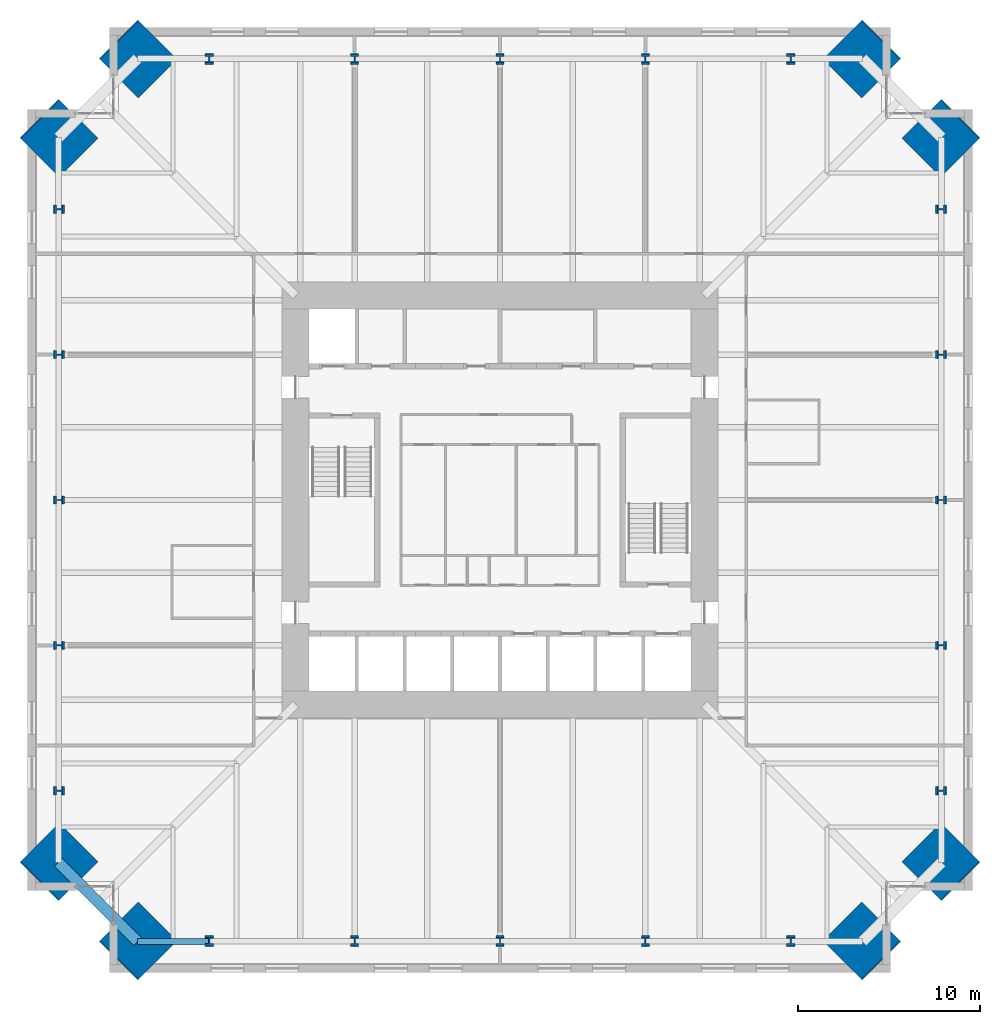
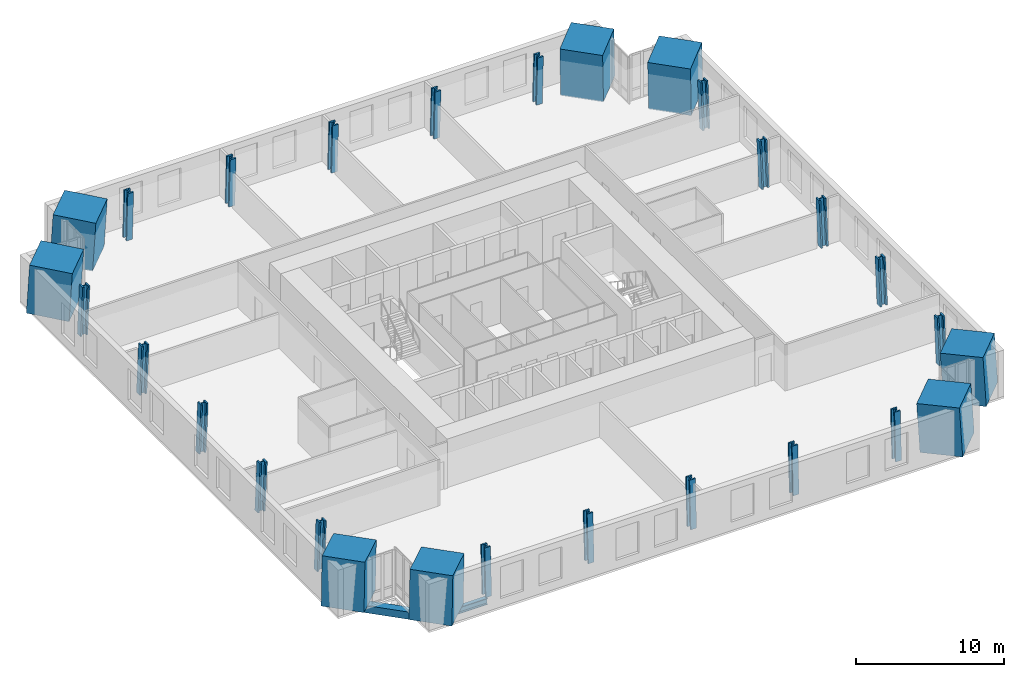
# One storey, part 1 of 18: 28 columns, 2 beams.
"""IFC4 building model written with IfcOpenShell, lengths in metres."""

from ifc_helpers import new_model, si_unit, direction, frame, origin, origin_2d, place, context, subcontext, project, spatial, rectangle, hollow_rectangle, i_section, extrude, material, material_profile, profile_set, type_object, element, save


model = new_model("IFC4")

# Units and contexts
model_context = context("Model", 3, precision=1e-05, world=origin(), true_north=direction((0.0, 1.0)))
body_context = subcontext(model_context, "Body", "Model", "MODEL_VIEW")
ifc_project = project(units=[si_unit("LENGTHUNIT", "METRE"), si_unit("AREAUNIT", "SQUARE_METRE"), si_unit("VOLUMEUNIT", "CUBIC_METRE"), si_unit("PLANEANGLEUNIT", "RADIAN"), si_unit("MASSUNIT", "GRAM", prefix="KILO")], contexts=[model_context])

# Site, building, storey
site_placement = place(None, origin())
site = spatial("IfcSite", under=ifc_project, at=site_placement, CompositionType="ELEMENT")
building_placement = place(site_placement, origin())
building = spatial("IfcBuilding", under=site, at=building_placement, Name="Peilmerk Tower", CompositionType="ELEMENT")
storey_placement = place(building_placement, frame((0.0, 0.0, 163.800048828125)))
storey = spatial("IfcBuildingStorey", under=building, at=storey_placement, Name="L34", CompositionType="ELEMENT", Elevation=163.800048828125)

# Columns
ifc_material_1 = material(Name="Concrete C90/105", Category="concrete")
ifc_material_profile_1 = material_profile(ifc_material_1, rectangle(XDim=3.0, YDim=3.0, at=origin_2d()), Name="RC 3000x3000")
ifc_profile_set_1 = profile_set([ifc_material_profile_1], Name="Concrete C90/105")
column_type_1 = type_object("IfcColumnType", Name="MC2 3000x3000 encased mega column", PredefinedType="COLUMN", material=ifc_profile_set_1)
for number, where, z_axis, x_axis, name in (
    (1, (19.94189453125, 24.2919921875, 0.0), (-0.040217894151, -0.040278830354, 0.998378754189), (0.707641859868, -0.706571297296, 0.0), "Mega column MC2 NE_N L34"),
    (2, (24.2919921875, 19.94189453125, 0.0), (-0.040278830354, -0.040217894151, 0.998378754189), (0.706571297296, -0.707641859868, 0.0), "Mega column MC2 NE_E L34"),
    (3, (24.2919921875, -19.94189453125, 0.0), (-0.040278830354, 0.040217894151, 0.998378754189), (-0.706571297296, -0.707641859868, 0.0), "Mega column MC2 SE_E L34"),
    (4, (19.94189453125, -24.2919921875, 0.0), (-0.040217894151, 0.040278830354, 0.998378754189), (-0.707641859868, -0.706571297296, 0.0), "Mega column MC2 SE_S L34"),
    (5, (-19.94189453125, -24.2919921875, 0.0), (0.040217894151, 0.040278830354, 0.998378754189), (-0.707641859868, 0.706571297296, 0.0), "Mega column MC2 SW_S L34"),
    (6, (-24.2919921875, -19.94189453125, 0.0), (0.040278830354, 0.040217894151, 0.998378754189), (-0.706571297296, 0.707641859868, 0.0), "Mega column MC2 SW_W L34"),
    (7, (-24.2919921875, 19.94189453125, 0.0), (0.040278830354, -0.040217894151, 0.998378754189), (0.706571297296, 0.707641859868, 0.0), "Mega column MC2 NW_W L34"),
    (8, (-19.94189453125, 24.2919921875, 0.0), (0.040217894151, -0.040278830354, 0.998378754189), (0.707641859868, 0.706571297296, 0.0), "Mega column MC2 NW_N L34"),
):
    element("IfcColumn", number, at=place(storey_placement, frame(where, z_axis=z_axis, x_axis=x_axis)), inside=storey, type_object=column_type_1, Name=name, PredefinedType="COLUMN", context=body_context, shape_type="SweptSolid", body=[
        extrude(rectangle(XDim=3.0, YDim=3.0, at=origin_2d()), origin(), (0.0, 0.0, 1.0), 4.006591796875),
    ])
ifc_material_2 = material(Name="Steel S460", Category="steel")
ifc_material_profile_2 = material_profile(ifc_material_2, i_section(OverallWidth=0.4541015625, OverallDepth=0.569091796875, WebThickness=0.077880859375, FlangeThickness=0.125, at=origin_2d()), Name="HD 400x1086")
ifc_profile_set_2 = profile_set([ifc_material_profile_2], Name="Steel S460")
column_type_2 = type_object("IfcColumnType", Name="SC6 HD 400x1086 interior column", PredefinedType="COLUMN", material=ifc_profile_set_2)
for number, where, z_axis, x_axis, name in (
    (9, (0.0, 24.2919921875, 0.0), (0.0, -0.040311445006, 0.999187163349), (1.0, 0.0, 0.0), "Perimeter column N+0 L34"),
    (10, (8.0, 24.2919921875, 0.0), (0.0, -0.040311445006, 0.999187163349), (1.0, 0.0, 0.0), "Perimeter column N-8 L34"),
    (11, (-8.0, 24.2919921875, 0.0), (0.0, -0.040311445006, 0.999187163349), (1.0, 0.0, 0.0), "Perimeter column N+8 L34"),
    (12, (16.0, 24.2919921875, 0.0), (0.0, -0.040311445006, 0.999187163349), (1.0, 0.0, 0.0), "Perimeter column N-16 L34"),
    (13, (-16.0, 24.2919921875, 0.0), (0.0, -0.040311445006, 0.999187163349), (1.0, 0.0, 0.0), "Perimeter column N+16 L34"),
    (14, (24.2919921875, 0.0, 0.0), (-0.040311445006, 0.0, 0.999187163349), (0.0, -1.0, 0.0), "Perimeter column E+0 L34"),
    (15, (24.2919921875, -8.0, 0.0), (-0.040311445006, 0.0, 0.999187163349), (0.0, -1.0, 0.0), "Perimeter column E-8 L34"),
    (16, (24.2919921875, 8.0, 0.0), (-0.040311445006, 0.0, 0.999187163349), (0.0, -1.0, 0.0), "Perimeter column E+8 L34"),
    (17, (24.2919921875, -16.0, 0.0), (-0.040311445006, 0.0, 0.999187163349), (0.0, -1.0, 0.0), "Perimeter column E-16 L34"),
    (18, (24.2919921875, 16.0, 0.0), (-0.040311445006, 0.0, 0.999187163349), (0.0, -1.0, 0.0), "Perimeter column E+16 L34"),
    (19, (0.0, -24.2919921875, 0.0), (0.0, 0.040311445006, 0.999187163349), (-1.0, 0.0, 0.0), "Perimeter column S+0 L34"),
    (20, (-8.0, -24.2919921875, 0.0), (0.0, 0.040311445006, 0.999187163349), (-1.0, 0.0, 0.0), "Perimeter column S-8 L34"),
    (21, (8.0, -24.2919921875, 0.0), (0.0, 0.040311445006, 0.999187163349), (-1.0, 0.0, 0.0), "Perimeter column S+8 L34"),
    (22, (-16.0, -24.2919921875, 0.0), (0.0, 0.040311445006, 0.999187163349), (-1.0, 0.0, 0.0), "Perimeter column S-16 L34"),
    (23, (16.0, -24.2919921875, 0.0), (0.0, 0.040311445006, 0.999187163349), (-1.0, 0.0, 0.0), "Perimeter column S+16 L34"),
    (24, (-24.2919921875, 0.0, 0.0), (0.040311445006, 0.0, 0.999187163349), (0.0, 1.0, 0.0), "Perimeter column W+0 L34"),
    (25, (-24.2919921875, 8.0, 0.0), (0.040311445006, 0.0, 0.999187163349), (0.0, 1.0, 0.0), "Perimeter column W-8 L34"),
    (26, (-24.2919921875, -8.0, 0.0), (0.040311445006, 0.0, 0.999187163349), (0.0, 1.0, 0.0), "Perimeter column W+8 L34"),
    (27, (-24.2919921875, 16.0, 0.0), (0.040311445006, 0.0, 0.999187163349), (0.0, 1.0, 0.0), "Perimeter column W-16 L34"),
    (28, (-24.2919921875, -16.0, 0.0), (0.040311445006, 0.0, 0.999187163349), (0.0, 1.0, 0.0), "Perimeter column W+16 L34"),
):
    element("IfcColumn", number, at=place(storey_placement, frame(where, z_axis=z_axis, x_axis=x_axis)), inside=storey, type_object=column_type_2, Name=name, PredefinedType="COLUMN", context=body_context, shape_type="SweptSolid", body=[
        extrude(i_section(OverallWidth=0.4541015625, OverallDepth=0.569091796875, WebThickness=0.077880859375, FlangeThickness=0.125, at=origin_2d()), origin(), (0.0, 0.0, 1.0), 4.003173828125),
    ])

# Beams
ifc_material_profile_3 = material_profile(ifc_material_2, hollow_rectangle(XDim=0.60009765625, YDim=0.60009765625, WallThickness=0.06005859375, at=origin_2d()), Name="BOX 600x600x60")
ifc_profile_set_3 = profile_set([ifc_material_profile_3], Name="Steel S460")
beam_type_1 = type_object("IfcBeamType", Name="B20 BOX 600x600x60 notch beam", PredefinedType="SPANDREL", material=ifc_profile_set_3)
beam_1_placement = place(storey_placement, frame((-19.94189453125, -24.2919921875, -0.469970703125), z_axis=(-0.707106781187, 0.707106781187, 0.0), x_axis=(-0.707106781187, -0.707106781187, 0.0)))
element("IfcBeam", 29, at=beam_1_placement, inside=storey, type_object=beam_type_1, Name="Notch beam L34", PredefinedType="SPANDREL", context=body_context, shape_type="SweptSolid", body=[
    extrude(hollow_rectangle(XDim=0.60009765625, YDim=0.60009765625, WallThickness=0.06005859375, at=origin_2d()), origin(), (0.0, 0.0, 1.0), 6.15185546875),
])
ifc_material_3 = material(Name="Steel S355", Category="steel")
ifc_material_profile_4 = material_profile(ifc_material_3, i_section(OverallWidth=0.305908203125, OverallDepth=0.52392578125, WebThickness=0.02099609375, FlangeThickness=0.0400390625, at=origin_2d()), Name="HEM 500")
ifc_profile_set_4 = profile_set([ifc_material_profile_4], Name="Steel S355")
beam_type_2 = type_object("IfcBeamType", Name="B33 HEM 500 edge beam", PredefinedType="SPANDREL", material=ifc_profile_set_4)
beam_2_placement = place(storey_placement, frame((-19.94189453125, -24.2919921875, -0.43212890625), z_axis=(1.0, 0.0, 0.0), x_axis=(0.0, 1.0, 0.0)))
element("IfcBeam", 30, at=beam_2_placement, inside=storey, type_object=beam_type_2, Name="Edge beam L34", PredefinedType="SPANDREL", context=body_context, shape_type="SweptSolid", body=[
    extrude(i_section(OverallWidth=0.305908203125, OverallDepth=0.52392578125, WebThickness=0.02099609375, FlangeThickness=0.0400390625, at=origin_2d()), origin(), (0.0, 0.0, 1.0), 3.94189453125),
])

save(model, "model.ifc")
